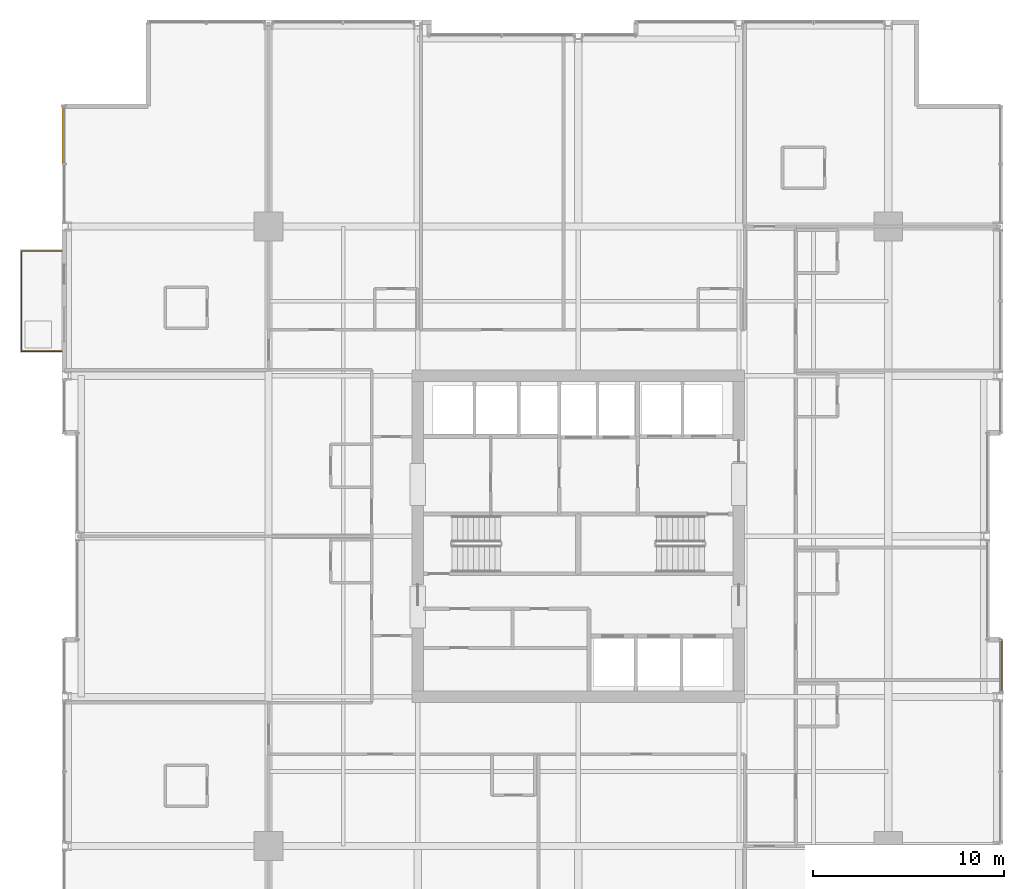
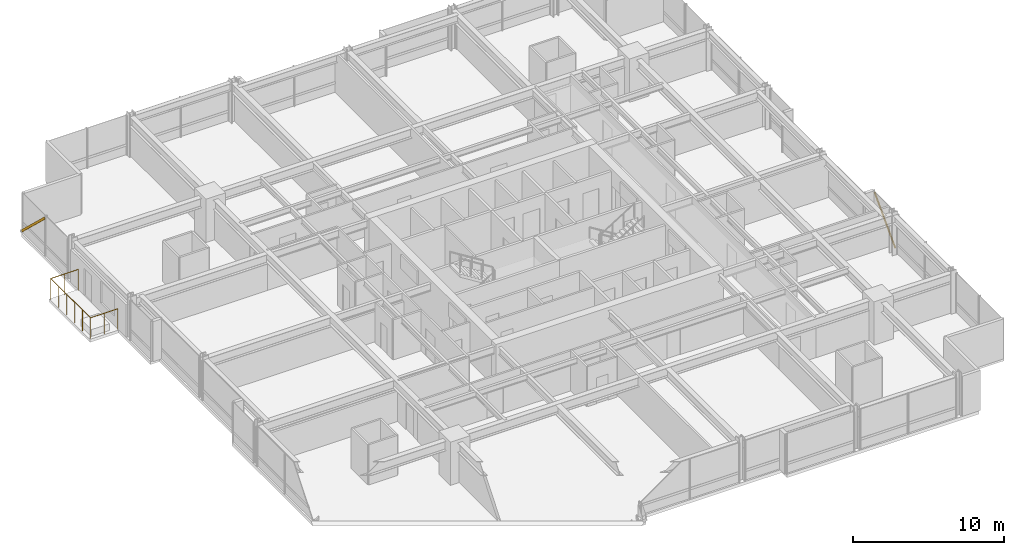
# One storey, part 33 of 33: 2 shading devices, 1 railing.
"""IFC4 building model written with IfcOpenShell, lengths in metres."""

from ifc_helpers import new_model, si_unit, direction, frame, origin, origin_2d, place, context, subcontext, project, spatial, hollow_rectangle, circle, extrude, material, material_profile, profile_set, type_object, element, save


model = new_model("IFC4")

# Units and contexts
model_context = context("Model", 3, precision=1e-05, world=origin(), true_north=direction((0.0, 1.0)))
body_context = subcontext(model_context, "Body", "Model", "MODEL_VIEW")
ifc_project = project(units=[si_unit("LENGTHUNIT", "METRE"), si_unit("AREAUNIT", "SQUARE_METRE"), si_unit("VOLUMEUNIT", "CUBIC_METRE"), si_unit("PLANEANGLEUNIT", "RADIAN"), si_unit("MASSUNIT", "GRAM", prefix="KILO")], contexts=[model_context])

# Site, building, storey
site_placement = place(None, origin())
site = spatial("IfcSite", under=ifc_project, at=site_placement, CompositionType="ELEMENT")
building_placement = place(site_placement, origin())
building = spatial("IfcBuilding", under=site, at=building_placement, Name="Drelvath Grand Hotel", CompositionType="ELEMENT")
storey_placement = place(building_placement, frame((0.0, 0.0, 105.800048828125)))
storey = spatial("IfcBuildingStorey", under=building, at=storey_placement, Name="L26", CompositionType="ELEMENT", Elevation=105.800048828125)

# Shading devices
ifc_material_1 = material(Name="Champagne Bronze Anodised Aluminium", Category="aluminium")
ifc_material_profile = material_profile(ifc_material_1, hollow_rectangle(XDim=0.06494140625, YDim=0.159912109375, WallThickness=0.00390625, at=origin_2d()), Name="HSS160X65X4")
ifc_profile_set = profile_set([ifc_material_profile], Name="Champagne Bronze Anodised Aluminium")
shading_device_type = type_object("IfcShadingDeviceType", Name="Diagonal Solar Fin Champagne Anodised HSS160X65X4", PredefinedType="USERDEFINED", material=ifc_profile_set)
shading_device_1_placement = place(storey_placement, frame((-26.9599609375, 49.5, 0.179931640625), z_axis=(0.0, -0.72596953443, 0.68772686081), x_axis=(1.0, 0.0, 0.0)))
element("IfcShadingDevice", 1, at=shading_device_1_placement, inside=storey, type_object=shading_device_type, Name="L26 Diagonal Anodised Fin CW03-L26-WN3", ObjectType="FIN", PredefinedType="USERDEFINED", context=body_context, shape_type="SweptSolid", body=[
    extrude(hollow_rectangle(XDim=0.06494140625, YDim=0.159912109375, WallThickness=0.00390625, at=origin_2d()), origin(), (0.0, 0.0, 1.0), 4.18798828125),
])
shading_device_2_placement = place(storey_placement, frame((22.159912109375, 18.819580078125, 0.179931640625), z_axis=(0.0, 0.694556420652, 0.719438238163), x_axis=(-1.0, 0.0, 0.0)))
element("IfcShadingDevice", 2, at=shading_device_2_placement, inside=storey, type_object=shading_device_type, Name="L26 Diagonal Anodised Fin CW03-L26-ES3", ObjectType="FIN", PredefinedType="USERDEFINED", context=body_context, shape_type="SweptSolid", body=[
    extrude(hollow_rectangle(XDim=0.06494140625, YDim=0.159912109375, WallThickness=0.00390625, at=origin_2d()), origin(), (0.0, 0.0, 1.0), 4.00341796875),
])

# Railing
ifc_material_2 = material(Name="Anodised Aluminium and Laminated Glass Balustrade", Category="aluminium")
railing_type = type_object("IfcRailingType", Name="Raised Planter Edge Balustrade 1700", PredefinedType="BALUSTRADE", material=ifc_material_2)
railing_placement = place(storey_placement, frame((-27.02001953125, 36.679931640625, 0.0)))
element("IfcRailing", 3, at=railing_placement, inside=storey, type_object=railing_type, Name="L26 Tree Balcony Perimeter Balustrade 1", PredefinedType="BALUSTRADE", context=body_context, shape_type="SweptSolid", body=[
    extrude(circle(Radius=0.02392578125, at=origin_2d()), frame((0.0, 0.0, 1.67578125), z_axis=(-1.0, 0.0, 0.0), x_axis=(0.0, -1.0, 0.0)), (0.0, 0.0, 1.0), 2.10009765625),
    extrude(circle(Radius=0.02392578125, at=origin_2d()), frame((-2.10009765625, 0.0, 1.67578125), z_axis=(0.0, 1.0, 0.0), x_axis=(-1.0, 0.0, 0.0)), (0.0, 0.0, 1.0), 5.239990234375),
    extrude(circle(Radius=0.02392578125, at=origin_2d()), frame((-2.10009765625, 5.239990234375, 1.67578125), z_axis=(1.0, 0.0, 0.0), x_axis=(0.0, 1.0, 0.0)), (0.0, 0.0, 1.0), 2.10009765625),
    extrude(circle(Radius=0.02099609375, at=origin_2d()), origin(), (0.0, 0.0, 1.0), 1.65185546875),
    extrude(circle(Radius=0.02099609375, at=origin_2d()), frame((-1.050048828125, 0.0, 0.0)), (0.0, 0.0, 1.0), 1.65185546875),
    extrude(circle(Radius=0.02099609375, at=origin_2d()), frame((-2.10009765625, 0.0, 0.0)), (0.0, 0.0, 1.0), 1.65185546875),
    extrude(circle(Radius=0.02099609375, at=origin_2d()), frame((-2.10009765625, 1.048095703125, 0.0)), (0.0, 0.0, 1.0), 1.65185546875),
    extrude(circle(Radius=0.02099609375, at=origin_2d()), frame((-2.10009765625, 2.095947265625, 0.0)), (0.0, 0.0, 1.0), 1.65185546875),
    extrude(circle(Radius=0.02099609375, at=origin_2d()), frame((-2.10009765625, 3.14404296875, 0.0)), (0.0, 0.0, 1.0), 1.65185546875),
    extrude(circle(Radius=0.02099609375, at=origin_2d()), frame((-2.10009765625, 4.19189453125, 0.0)), (0.0, 0.0, 1.0), 1.65185546875),
    extrude(circle(Radius=0.02099609375, at=origin_2d()), frame((-2.10009765625, 5.239990234375, 0.0)), (0.0, 0.0, 1.0), 1.65185546875),
    extrude(circle(Radius=0.02099609375, at=origin_2d()), frame((-1.050048828125, 5.239990234375, 0.0)), (0.0, 0.0, 1.0), 1.65185546875),
    extrude(circle(Radius=0.02099609375, at=origin_2d()), frame((0.0, 5.239990234375, 0.0)), (0.0, 0.0, 1.0), 1.65185546875),
])

save(model, "model.ifc")
